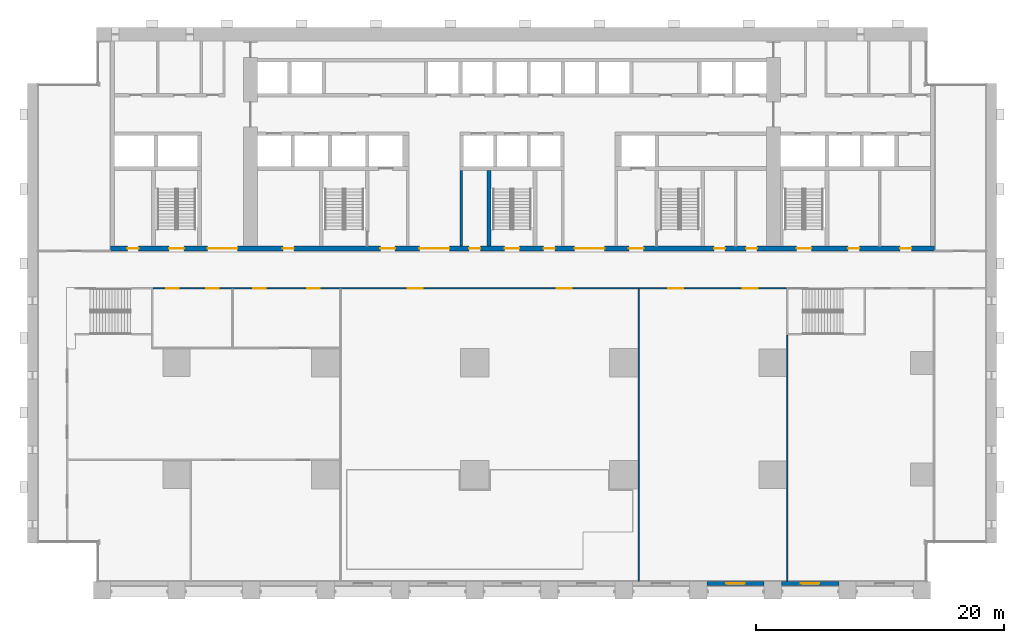
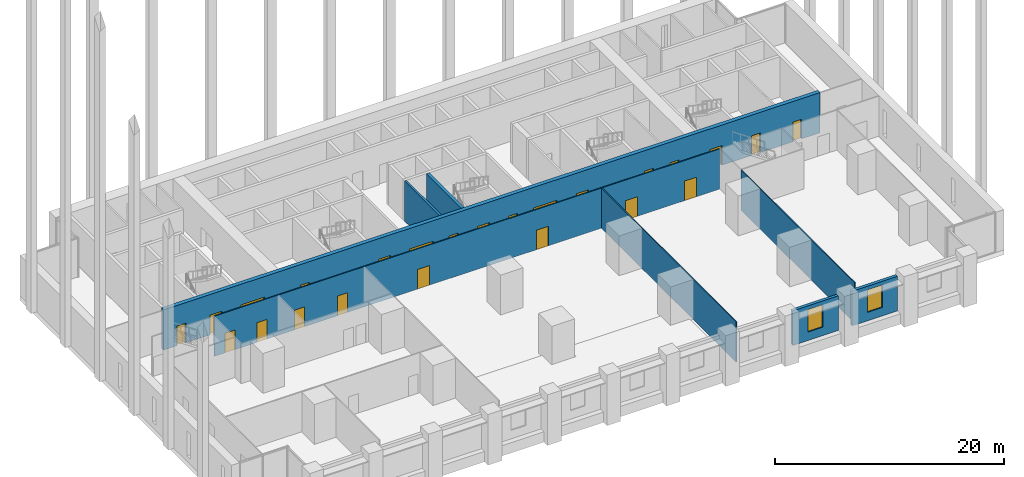
# One storey, part 8 of 17: 24 doors, 8 walls, 2 windows, 26 openings.
"""IFC4 building model written with IfcOpenShell, lengths in metres."""

from ifc_helpers import new_model, si_unit, direction, frame, frame_2d, origin, place, context, subcontext, project, spatial, rectangle, extrude, material, layer, layer_set, type_object, element, fill, save


model = new_model("IFC4")

# Units and contexts
model_context = context("Model", 3, precision=1e-05, world=origin(), true_north=direction((0.0, 1.0)))
body_context = subcontext(model_context, "Body", "Model", "MODEL_VIEW")
ifc_project = project(units=[si_unit("LENGTHUNIT", "METRE"), si_unit("AREAUNIT", "SQUARE_METRE"), si_unit("VOLUMEUNIT", "CUBIC_METRE"), si_unit("PLANEANGLEUNIT", "RADIAN"), si_unit("MASSUNIT", "GRAM", prefix="KILO")], contexts=[model_context])

# Site, building, storey
site_placement = place(None, origin())
site = spatial("IfcSite", under=ifc_project, at=site_placement, CompositionType="ELEMENT")
building_placement = place(site_placement, origin())
building = spatial("IfcBuilding", under=site, at=building_placement, Name="Calvaro Tower", CompositionType="ELEMENT")
storey_placement = place(building_placement, frame((0.0, 0.0, 6.5)))
storey = spatial("IfcBuildingStorey", under=building, at=storey_placement, Name="L01", CompositionType="ELEMENT", Elevation=6.5)

# Walls
ifc_material_1 = material(Name="Blockwork partition", Category="masonry")
ifc_layer_1 = layer(ifc_material_1, 0.199951171875)
ifc_layer_set_1 = layer_set([ifc_layer_1], Name="Blockwork partition")
wall_type_1 = type_object("IfcWallType", Name="Core partition 200 REI 120", PredefinedType="PARTITIONING", material=ifc_layer_set_1)
wall_1_placement = place(storey_placement, frame((34.89990234375, 28.39990234375, 0.0), z_axis=(0.0, 0.0, 1.0), x_axis=(0.0, 1.0, 0.0)))
element("IfcWall", 1, at=wall_1_placement, inside=storey, type_object=wall_type_1, Name="Core partition", PredefinedType="PARTITIONING", context=body_context, shape_type="SweptSolid", body=[
    extrude(rectangle(XDim=6.10009765625, YDim=0.199951171875, at=frame_2d((3.050048828125, 0.0))), origin(), (0.0, 0.0, 1.0), 4.300048828125),
])
ifc_material_2 = material(Name="Concrete C80/95", Category="concrete")
ifc_layer_2 = layer(ifc_material_2, 0.300048828125)
ifc_layer_set_2 = layer_set([ifc_layer_2], Name="Concrete C80/95")
wall_type_2 = type_object("IfcWallType", Name="Core wall C80/95 300", PredefinedType="SHEAR", material=ifc_layer_set_2)
wall_2_placement = place(storey_placement, frame((37.14990234375, 28.39990234375, 0.0), z_axis=(0.0, 0.0, 1.0), x_axis=(0.0, 1.0, 0.0)))
element("IfcWall", 2, at=wall_2_placement, inside=storey, type_object=wall_type_2, Name="Core wall, stair enclosure", PredefinedType="SHEAR", context=body_context, shape_type="SweptSolid", body=[
    extrude(rectangle(XDim=6.10009765625, YDim=0.300048828125, at=frame_2d((3.050048828125, 0.0))), origin(), (0.0, 0.0, 1.0), 4.300048828125),
])

# Wall, openings, doors
ifc_material_3 = material(Name="Concrete C80/95", Category="concrete")
ifc_layer_3 = layer(ifc_material_3, 0.39990234375)
ifc_layer_set_3 = layer_set([ifc_layer_3], Name="Concrete C80/95")
wall_type_3 = type_object("IfcWallType", Name="Core wall C80/95 400", PredefinedType="SHEAR", material=ifc_layer_set_3)
wall_3_placement = place(storey_placement, frame((6.699951171875, 28.199951171875, 0.0), z_axis=(0.0, 0.0, 1.0), x_axis=(1.0, 0.0, 0.0)))
wall_3 = element("IfcWall", 3, at=wall_3_placement, inside=storey, type_object=wall_type_3, Name="Core wall, front", PredefinedType="SHEAR", context=body_context, shape_type="SweptSolid", body=[
    extrude(rectangle(XDim=66.300048828125, YDim=0.39990234375, at=frame_2d((33.14990234375, 0.0))), origin(), (0.0, 0.0, 1.0), 4.300048828125),
])
opening_1_placement = place(wall_3_placement, frame((13.85009765625, 0.0, 0.0)))
opening_1 = element("IfcOpeningElement", 4, at=opening_1_placement, cuts=wall_3, Name="Opening RD9E", PredefinedType="OPENING", context=body_context, shape_type="SweptSolid", body=[
    extrude(rectangle(XDim=0.89990234375, YDim=2.10009765625, at=frame_2d((0.449951171875, 1.050048828125))), frame((0.0, 0.2099609375, 0.0), z_axis=(0.0, -1.0, 0.0), x_axis=(1.0, 0.0, 0.0)), (0.0, 0.0, 1.0), 0.419921875),
])
opening_2_placement = place(wall_3_placement, frame((48.5625, 0.0, 0.0)))
opening_2 = element("IfcOpeningElement", 5, at=opening_2_placement, cuts=wall_3, Name="Opening RD9C", PredefinedType="OPENING", context=body_context, shape_type="SweptSolid", body=[
    extrude(rectangle(XDim=0.89990234375, YDim=2.10009765625, at=frame_2d((0.449951171875, 1.050048828125))), frame((0.0, 0.2099609375, 0.0), z_axis=(0.0, -1.0, 0.0), x_axis=(1.0, 0.0, 0.0)), (0.0, 0.0, 1.0), 0.419921875),
])
opening_3_placement = place(wall_3_placement, frame((51.137451171875, 0.0, 0.0)))
opening_3 = element("IfcOpeningElement", 6, at=opening_3_placement, cuts=wall_3, Name="Opening RD9C", PredefinedType="OPENING", context=body_context, shape_type="SweptSolid", body=[
    extrude(rectangle(XDim=0.89990234375, YDim=2.10009765625, at=frame_2d((0.449951171875, 1.050048828125))), frame((0.0, 0.2099609375, 0.0), z_axis=(0.0, -1.0, 0.0), x_axis=(1.0, 0.0, 0.0)), (0.0, 0.0, 1.0), 0.419921875),
])
opening_4_placement = place(wall_3_placement, frame((1.35009765625, 0.0, 0.0)))
opening_4 = element("IfcOpeningElement", 7, at=opening_4_placement, cuts=wall_3, Name="Opening RD9C", PredefinedType="OPENING", context=body_context, shape_type="SweptSolid", body=[
    extrude(rectangle(XDim=0.89990234375, YDim=2.10009765625, at=frame_2d((0.449951171875, 1.050048828125))), frame((0.0, 0.2099609375, 0.0), z_axis=(0.0, -1.0, 0.0), x_axis=(1.0, 0.0, 0.0)), (0.0, 0.0, 1.0), 0.419921875),
])
opening_5_placement = place(wall_3_placement, frame((59.362548828125, 0.0, 0.0)))
opening_5 = element("IfcOpeningElement", 8, at=opening_5_placement, cuts=wall_3, Name="Opening RD9C", PredefinedType="OPENING", context=body_context, shape_type="SweptSolid", body=[
    extrude(rectangle(XDim=0.89990234375, YDim=2.10009765625, at=frame_2d((0.449951171875, 1.050048828125))), frame((0.0, 0.2099609375, 0.0), z_axis=(0.0, -1.0, 0.0), x_axis=(1.0, 0.0, 0.0)), (0.0, 0.0, 1.0), 0.419921875),
])
opening_6_placement = place(wall_3_placement, frame((63.53759765625, 0.0, 0.0)))
opening_6 = element("IfcOpeningElement", 9, at=opening_6_placement, cuts=wall_3, Name="Opening RD9C", PredefinedType="OPENING", context=body_context, shape_type="SweptSolid", body=[
    extrude(rectangle(XDim=0.89990234375, YDim=2.10009765625, at=frame_2d((0.449951171875, 1.050048828125))), frame((0.0, 0.2099609375, 0.0), z_axis=(0.0, -1.0, 0.0), x_axis=(1.0, 0.0, 0.0)), (0.0, 0.0, 1.0), 0.419921875),
])
opening_7_placement = place(wall_3_placement, frame((4.699951171875, 0.0, 0.0)))
opening_7 = element("IfcOpeningElement", 10, at=opening_7_placement, cuts=wall_3, Name="Opening SD12D", PredefinedType="OPENING", context=body_context, shape_type="SweptSolid", body=[
    extrude(rectangle(XDim=1.199951171875, YDim=2.10009765625, at=frame_2d((0.60009765625, 1.050048828125))), frame((0.0, 0.2099609375, 0.0), z_axis=(0.0, -1.0, 0.0), x_axis=(1.0, 0.0, 0.0)), (0.0, 0.0, 1.0), 0.419921875),
])
opening_8_placement = place(wall_3_placement, frame((31.699951171875, 0.0, 0.0)))
opening_8 = element("IfcOpeningElement", 11, at=opening_8_placement, cuts=wall_3, Name="Opening SD12D", PredefinedType="OPENING", context=body_context, shape_type="SweptSolid", body=[
    extrude(rectangle(XDim=1.199951171875, YDim=2.10009765625, at=frame_2d((0.60009765625, 1.050048828125))), frame((0.0, 0.2099609375, 0.0), z_axis=(0.0, -1.0, 0.0), x_axis=(1.0, 0.0, 0.0)), (0.0, 0.0, 1.0), 0.419921875),
])
opening_9_placement = place(wall_3_placement, frame((55.199951171875, 0.0, 0.0)))
opening_9 = element("IfcOpeningElement", 12, at=opening_9_placement, cuts=wall_3, Name="Opening SD12D", PredefinedType="OPENING", context=body_context, shape_type="SweptSolid", body=[
    extrude(rectangle(XDim=1.199951171875, YDim=2.10009765625, at=frame_2d((0.60009765625, 1.050048828125))), frame((0.0, 0.2099609375, 0.0), z_axis=(0.0, -1.0, 0.0), x_axis=(1.0, 0.0, 0.0)), (0.0, 0.0, 1.0), 0.419921875),
])
opening_10_placement = place(wall_3_placement, frame((21.699951171875, 0.0, 0.0)))
opening_10 = element("IfcOpeningElement", 13, at=opening_10_placement, cuts=wall_3, Name="Opening FD12F", PredefinedType="OPENING", context=body_context, shape_type="SweptSolid", body=[
    extrude(rectangle(XDim=1.199951171875, YDim=2.10009765625, at=frame_2d((0.60009765625, 1.050048828125))), frame((0.0, 0.2099609375, 0.0), z_axis=(0.0, -1.0, 0.0), x_axis=(1.0, 0.0, 0.0)), (0.0, 0.0, 1.0), 0.419921875),
])
opening_11_placement = place(wall_3_placement, frame((41.699951171875, 0.0, 0.0)))
opening_11 = element("IfcOpeningElement", 14, at=opening_11_placement, cuts=wall_3, Name="Opening FD12F", PredefinedType="OPENING", context=body_context, shape_type="SweptSolid", body=[
    extrude(rectangle(XDim=1.199951171875, YDim=2.10009765625, at=frame_2d((0.60009765625, 1.050048828125))), frame((0.0, 0.2099609375, 0.0), z_axis=(0.0, -1.0, 0.0), x_axis=(1.0, 0.0, 0.0)), (0.0, 0.0, 1.0), 0.419921875),
])
opening_12_placement = place(wall_3_placement, frame((24.85009765625, 0.0, 0.0)))
opening_12 = element("IfcOpeningElement", 15, at=opening_12_placement, cuts=wall_3, Name="Opening DD24D", PredefinedType="OPENING", context=body_context, shape_type="SweptSolid", body=[
    extrude(rectangle(XDim=2.39990234375, YDim=2.10009765625, at=frame_2d((1.199951171875, 1.050048828125))), frame((0.0, 0.2099609375, 0.0), z_axis=(0.0, -1.0, 0.0), x_axis=(1.0, 0.0, 0.0)), (0.0, 0.0, 1.0), 0.419921875),
])
opening_13_placement = place(wall_3_placement, frame((37.35009765625, 0.0, 0.0)))
opening_13 = element("IfcOpeningElement", 16, at=opening_13_placement, cuts=wall_3, Name="Opening DD24D", PredefinedType="OPENING", context=body_context, shape_type="SweptSolid", body=[
    extrude(rectangle(XDim=2.39990234375, YDim=2.10009765625, at=frame_2d((1.199951171875, 1.050048828125))), frame((0.0, 0.2099609375, 0.0), z_axis=(0.0, -1.0, 0.0), x_axis=(1.0, 0.0, 0.0)), (0.0, 0.0, 1.0), 0.419921875),
])
opening_14_placement = place(wall_3_placement, frame((7.800048828125, 0.0, 0.0)))
opening_14 = element("IfcOpeningElement", 17, at=opening_14_placement, cuts=wall_3, Name="Opening DD24D", PredefinedType="OPENING", context=body_context, shape_type="SweptSolid", body=[
    extrude(rectangle(XDim=2.39990234375, YDim=2.10009765625, at=frame_2d((1.199951171875, 1.050048828125))), frame((0.0, 0.2099609375, 0.0), z_axis=(0.0, -1.0, 0.0), x_axis=(1.0, 0.0, 0.0)), (0.0, 0.0, 1.0), 0.419921875),
])
opening_15_placement = place(wall_3_placement, frame((28.85009765625, 0.0, 0.0)))
opening_15 = element("IfcOpeningElement", 18, at=opening_15_placement, cuts=wall_3, Name="Opening RD9E", PredefinedType="OPENING", context=body_context, shape_type="SweptSolid", body=[
    extrude(rectangle(XDim=0.89990234375, YDim=2.10009765625, at=frame_2d((0.449951171875, 1.050048828125))), frame((0.0, 0.2099609375, 0.0), z_axis=(0.0, -1.0, 0.0), x_axis=(1.0, 0.0, 0.0)), (0.0, 0.0, 1.0), 0.419921875),
])
opening_16_placement = place(wall_3_placement, frame((34.85009765625, 0.0, 0.0)))
opening_16 = element("IfcOpeningElement", 19, at=opening_16_placement, cuts=wall_3, Name="Opening RD9E", PredefinedType="OPENING", context=body_context, shape_type="SweptSolid", body=[
    extrude(rectangle(XDim=0.89990234375, YDim=2.10009765625, at=frame_2d((0.449951171875, 1.050048828125))), frame((0.0, 0.2099609375, 0.0), z_axis=(0.0, -1.0, 0.0), x_axis=(1.0, 0.0, 0.0)), (0.0, 0.0, 1.0), 0.419921875),
])
ifc_material_4 = material(Name="Steel door set", Category="steel")
door_type_1 = type_object("IfcDoorType", Name="Fire door 1200 FD60S", OperationType="SINGLE_SWING_LEFT", PredefinedType="DOOR", material=ifc_material_4)
door_1_placement = place(opening_10_placement, origin())
door_1 = element("IfcDoor", 20, at=door_1_placement, inside=storey, type_object=door_type_1, Name="Fire door", OperationType="SINGLE_SWING_LEFT", OverallHeight=2.10009765625, OverallWidth=1.199951171875, PredefinedType="DOOR", context=body_context, shape_type="SweptSolid", body=[
    extrude(rectangle(XDim=1.199951171875, YDim=2.10009765625, at=frame_2d((0.60009765625, 1.050048828125))), frame((0.0, 0.02490234375, 0.0), z_axis=(0.0, -1.0, 0.0), x_axis=(1.0, 0.0, 0.0)), (0.0, 0.0, 1.0), 0.050048828125),
])
fill(opening_10, door_1)
door_2_placement = place(opening_11_placement, origin())
door_2 = element("IfcDoor", 21, at=door_2_placement, inside=storey, type_object=door_type_1, Name="Fire door", OperationType="SINGLE_SWING_LEFT", OverallHeight=2.10009765625, OverallWidth=1.199951171875, PredefinedType="DOOR", context=body_context, shape_type="SweptSolid", body=[
    extrude(rectangle(XDim=1.199951171875, YDim=2.10009765625, at=frame_2d((0.60009765625, 1.050048828125))), frame((0.0, 0.02490234375, 0.0), z_axis=(0.0, -1.0, 0.0), x_axis=(1.0, 0.0, 0.0)), (0.0, 0.0, 1.0), 0.050048828125),
])
fill(opening_11, door_2)
ifc_material_5 = material(Name="Steel door set", Category="steel")
door_type_2 = type_object("IfcDoorType", Name="Lobby double door 2400 FD30S", OperationType="DOUBLE_DOOR_SINGLE_SWING", PredefinedType="DOOR", material=ifc_material_5)
door_3_placement = place(opening_12_placement, origin())
door_3 = element("IfcDoor", 22, at=door_3_placement, inside=storey, type_object=door_type_2, Name="Lobby double door", OperationType="DOUBLE_DOOR_SINGLE_SWING", OverallHeight=2.10009765625, OverallWidth=2.39990234375, PredefinedType="DOOR", context=body_context, shape_type="SweptSolid", body=[
    extrude(rectangle(XDim=2.39990234375, YDim=2.10009765625, at=frame_2d((1.199951171875, 1.050048828125))), frame((0.0, 0.02490234375, 0.0), z_axis=(0.0, -1.0, 0.0), x_axis=(1.0, 0.0, 0.0)), (0.0, 0.0, 1.0), 0.050048828125),
])
fill(opening_12, door_3)
door_4_placement = place(opening_13_placement, origin())
door_4 = element("IfcDoor", 23, at=door_4_placement, inside=storey, type_object=door_type_2, Name="Lobby double door", OperationType="DOUBLE_DOOR_SINGLE_SWING", OverallHeight=2.10009765625, OverallWidth=2.39990234375, PredefinedType="DOOR", context=body_context, shape_type="SweptSolid", body=[
    extrude(rectangle(XDim=2.39990234375, YDim=2.10009765625, at=frame_2d((1.199951171875, 1.050048828125))), frame((0.0, 0.02490234375, 0.0), z_axis=(0.0, -1.0, 0.0), x_axis=(1.0, 0.0, 0.0)), (0.0, 0.0, 1.0), 0.050048828125),
])
fill(opening_13, door_4)
door_5_placement = place(opening_14_placement, origin())
door_5 = element("IfcDoor", 24, at=door_5_placement, inside=storey, type_object=door_type_2, Name="Lobby double door", OperationType="DOUBLE_DOOR_SINGLE_SWING", OverallHeight=2.10009765625, OverallWidth=2.39990234375, PredefinedType="DOOR", context=body_context, shape_type="SweptSolid", body=[
    extrude(rectangle(XDim=2.39990234375, YDim=2.10009765625, at=frame_2d((1.199951171875, 1.050048828125))), frame((0.0, 0.02490234375, 0.0), z_axis=(0.0, -1.0, 0.0), x_axis=(1.0, 0.0, 0.0)), (0.0, 0.0, 1.0), 0.050048828125),
])
fill(opening_14, door_5)
ifc_material_6 = material(Name="Steel door set", Category="steel")
door_type_3 = type_object("IfcDoorType", Name="Room door 900 FD30", OperationType="SINGLE_SWING_LEFT", PredefinedType="DOOR", material=ifc_material_6)
door_6_placement = place(opening_2_placement, origin())
door_6 = element("IfcDoor", 25, at=door_6_placement, inside=storey, type_object=door_type_3, Name="Room door", OperationType="SINGLE_SWING_LEFT", OverallHeight=2.10009765625, OverallWidth=0.89990234375, PredefinedType="DOOR", context=body_context, shape_type="SweptSolid", body=[
    extrude(rectangle(XDim=0.89990234375, YDim=2.10009765625, at=frame_2d((0.449951171875, 1.050048828125))), frame((0.0, 0.02490234375, 0.0), z_axis=(0.0, -1.0, 0.0), x_axis=(1.0, 0.0, 0.0)), (0.0, 0.0, 1.0), 0.050048828125),
])
fill(opening_2, door_6)
door_7_placement = place(opening_3_placement, origin())
door_7 = element("IfcDoor", 26, at=door_7_placement, inside=storey, type_object=door_type_3, Name="Room door", OperationType="SINGLE_SWING_LEFT", OverallHeight=2.10009765625, OverallWidth=0.89990234375, PredefinedType="DOOR", context=body_context, shape_type="SweptSolid", body=[
    extrude(rectangle(XDim=0.89990234375, YDim=2.10009765625, at=frame_2d((0.449951171875, 1.050048828125))), frame((0.0, 0.02490234375, 0.0), z_axis=(0.0, -1.0, 0.0), x_axis=(1.0, 0.0, 0.0)), (0.0, 0.0, 1.0), 0.050048828125),
])
fill(opening_3, door_7)
door_8_placement = place(opening_4_placement, origin())
door_8 = element("IfcDoor", 27, at=door_8_placement, inside=storey, type_object=door_type_3, Name="Room door", OperationType="SINGLE_SWING_LEFT", OverallHeight=2.10009765625, OverallWidth=0.89990234375, PredefinedType="DOOR", context=body_context, shape_type="SweptSolid", body=[
    extrude(rectangle(XDim=0.89990234375, YDim=2.10009765625, at=frame_2d((0.449951171875, 1.050048828125))), frame((0.0, 0.02490234375, 0.0), z_axis=(0.0, -1.0, 0.0), x_axis=(1.0, 0.0, 0.0)), (0.0, 0.0, 1.0), 0.050048828125),
])
fill(opening_4, door_8)
door_9_placement = place(opening_5_placement, origin())
door_9 = element("IfcDoor", 28, at=door_9_placement, inside=storey, type_object=door_type_3, Name="Room door", OperationType="SINGLE_SWING_LEFT", OverallHeight=2.10009765625, OverallWidth=0.89990234375, PredefinedType="DOOR", context=body_context, shape_type="SweptSolid", body=[
    extrude(rectangle(XDim=0.89990234375, YDim=2.10009765625, at=frame_2d((0.449951171875, 1.050048828125))), frame((0.0, 0.02490234375, 0.0), z_axis=(0.0, -1.0, 0.0), x_axis=(1.0, 0.0, 0.0)), (0.0, 0.0, 1.0), 0.050048828125),
])
fill(opening_5, door_9)
door_10_placement = place(opening_6_placement, origin())
door_10 = element("IfcDoor", 29, at=door_10_placement, inside=storey, type_object=door_type_3, Name="Room door", OperationType="SINGLE_SWING_LEFT", OverallHeight=2.10009765625, OverallWidth=0.89990234375, PredefinedType="DOOR", context=body_context, shape_type="SweptSolid", body=[
    extrude(rectangle(XDim=0.89990234375, YDim=2.10009765625, at=frame_2d((0.449951171875, 1.050048828125))), frame((0.0, 0.02490234375, 0.0), z_axis=(0.0, -1.0, 0.0), x_axis=(1.0, 0.0, 0.0)), (0.0, 0.0, 1.0), 0.050048828125),
])
fill(opening_6, door_10)
ifc_material_7 = material(Name="Steel door set", Category="steel")
door_type_4 = type_object("IfcDoorType", Name="Room door 900 FD60", OperationType="SINGLE_SWING_LEFT", PredefinedType="DOOR", material=ifc_material_7)
door_11_placement = place(opening_1_placement, origin())
door_11 = element("IfcDoor", 30, at=door_11_placement, inside=storey, type_object=door_type_4, Name="Room door", OperationType="SINGLE_SWING_LEFT", OverallHeight=2.10009765625, OverallWidth=0.89990234375, PredefinedType="DOOR", context=body_context, shape_type="SweptSolid", body=[
    extrude(rectangle(XDim=0.89990234375, YDim=2.10009765625, at=frame_2d((0.449951171875, 1.050048828125))), frame((0.0, 0.02490234375, 0.0), z_axis=(0.0, -1.0, 0.0), x_axis=(1.0, 0.0, 0.0)), (0.0, 0.0, 1.0), 0.050048828125),
])
fill(opening_1, door_11)
door_12_placement = place(opening_15_placement, origin())
door_12 = element("IfcDoor", 31, at=door_12_placement, inside=storey, type_object=door_type_4, Name="Room door", OperationType="SINGLE_SWING_LEFT", OverallHeight=2.10009765625, OverallWidth=0.89990234375, PredefinedType="DOOR", context=body_context, shape_type="SweptSolid", body=[
    extrude(rectangle(XDim=0.89990234375, YDim=2.10009765625, at=frame_2d((0.449951171875, 1.050048828125))), frame((0.0, 0.02490234375, 0.0), z_axis=(0.0, -1.0, 0.0), x_axis=(1.0, 0.0, 0.0)), (0.0, 0.0, 1.0), 0.050048828125),
])
fill(opening_15, door_12)
door_13_placement = place(opening_16_placement, origin())
door_13 = element("IfcDoor", 32, at=door_13_placement, inside=storey, type_object=door_type_4, Name="Room door", OperationType="SINGLE_SWING_LEFT", OverallHeight=2.10009765625, OverallWidth=0.89990234375, PredefinedType="DOOR", context=body_context, shape_type="SweptSolid", body=[
    extrude(rectangle(XDim=0.89990234375, YDim=2.10009765625, at=frame_2d((0.449951171875, 1.050048828125))), frame((0.0, 0.02490234375, 0.0), z_axis=(0.0, -1.0, 0.0), x_axis=(1.0, 0.0, 0.0)), (0.0, 0.0, 1.0), 0.050048828125),
])
fill(opening_16, door_13)
ifc_material_8 = material(Name="Steel door set", Category="steel")
door_type_5 = type_object("IfcDoorType", Name="Stair door 1200 FD30S", OperationType="SINGLE_SWING_LEFT", PredefinedType="DOOR", material=ifc_material_8)
door_14_placement = place(opening_7_placement, origin())
door_14 = element("IfcDoor", 33, at=door_14_placement, inside=storey, type_object=door_type_5, Name="Stair door", OperationType="SINGLE_SWING_LEFT", OverallHeight=2.10009765625, OverallWidth=1.199951171875, PredefinedType="DOOR", context=body_context, shape_type="SweptSolid", body=[
    extrude(rectangle(XDim=1.199951171875, YDim=2.10009765625, at=frame_2d((0.60009765625, 1.050048828125))), frame((0.0, 0.02490234375, 0.0), z_axis=(0.0, -1.0, 0.0), x_axis=(1.0, 0.0, 0.0)), (0.0, 0.0, 1.0), 0.050048828125),
])
fill(opening_7, door_14)
door_15_placement = place(opening_8_placement, origin())
door_15 = element("IfcDoor", 34, at=door_15_placement, inside=storey, type_object=door_type_5, Name="Stair door", OperationType="SINGLE_SWING_LEFT", OverallHeight=2.10009765625, OverallWidth=1.199951171875, PredefinedType="DOOR", context=body_context, shape_type="SweptSolid", body=[
    extrude(rectangle(XDim=1.199951171875, YDim=2.10009765625, at=frame_2d((0.60009765625, 1.050048828125))), frame((0.0, 0.02490234375, 0.0), z_axis=(0.0, -1.0, 0.0), x_axis=(1.0, 0.0, 0.0)), (0.0, 0.0, 1.0), 0.050048828125),
])
fill(opening_8, door_15)
door_16_placement = place(opening_9_placement, origin())
door_16 = element("IfcDoor", 35, at=door_16_placement, inside=storey, type_object=door_type_5, Name="Stair door", OperationType="SINGLE_SWING_LEFT", OverallHeight=2.10009765625, OverallWidth=1.199951171875, PredefinedType="DOOR", context=body_context, shape_type="SweptSolid", body=[
    extrude(rectangle(XDim=1.199951171875, YDim=2.10009765625, at=frame_2d((0.60009765625, 1.050048828125))), frame((0.0, 0.02490234375, 0.0), z_axis=(0.0, -1.0, 0.0), x_axis=(1.0, 0.0, 0.0)), (0.0, 0.0, 1.0), 0.050048828125),
])
fill(opening_9, door_16)

ifc_material_9 = material(Name="Plasterboard on steel studs", Category="steel")
ifc_layer_4 = layer(ifc_material_9, 0.10009765625)
ifc_layer_set_4 = layer_set([ifc_layer_4], Name="Plasterboard on steel studs")
wall_type_4 = type_object("IfcWallType", Name="Partition 100", PredefinedType="PARTITIONING", material=ifc_layer_set_4)
wall_4_placement = place(storey_placement, frame((10.090087890625, 25.0, 0.0), z_axis=(0.0, 0.0, 1.0), x_axis=(1.0, 0.0, 0.0)))
wall_4 = element("IfcWall", 36, at=wall_4_placement, inside=storey, type_object=wall_type_4, Name="Partition T04.W006", PredefinedType="PARTITIONING", context=body_context, shape_type="SweptSolid", body=[
    extrude(rectangle(XDim=51.02001953125, YDim=0.10009765625, at=frame_2d((25.510009765625, 0.0))), origin(), (0.0, 0.0, 1.0), 4.300048828125),
])
opening_17_placement = place(wall_4_placement, frame((20.510009765625, 0.0, 0.0)))
opening_17 = element("IfcOpeningElement", 37, at=opening_17_placement, cuts=wall_4, Name="Opening T04.006", PredefinedType="OPENING", context=body_context, shape_type="SweptSolid", body=[
    extrude(rectangle(XDim=1.199951171875, YDim=2.10009765625, at=frame_2d((0.60009765625, 1.050048828125))), frame((0.0, 0.06005859375, 0.0), z_axis=(0.0, -1.0, 0.0), x_axis=(1.0, 0.0, 0.0)), (0.0, 0.0, 1.0), 0.1201171875),
])
opening_18_placement = place(wall_4_placement, frame((32.510009765625, 0.0, 0.0)))
opening_18 = element("IfcOpeningElement", 38, at=opening_18_placement, cuts=wall_4, Name="Opening T04.007", PredefinedType="OPENING", context=body_context, shape_type="SweptSolid", body=[
    extrude(rectangle(XDim=1.199951171875, YDim=2.10009765625, at=frame_2d((0.60009765625, 1.050048828125))), frame((0.0, 0.06005859375, 0.0), z_axis=(0.0, -1.0, 0.0), x_axis=(1.0, 0.0, 0.0)), (0.0, 0.0, 1.0), 0.1201171875),
])
opening_19_placement = place(wall_4_placement, frame((41.49755859375, 0.0, 0.0)))
opening_19 = element("IfcOpeningElement", 39, at=opening_19_placement, cuts=wall_4, Name="Opening T04.008", PredefinedType="OPENING", context=body_context, shape_type="SweptSolid", body=[
    extrude(rectangle(XDim=1.199951171875, YDim=2.10009765625, at=frame_2d((0.60009765625, 1.050048828125))), frame((0.0, 0.06005859375, 0.0), z_axis=(0.0, -1.0, 0.0), x_axis=(1.0, 0.0, 0.0)), (0.0, 0.0, 1.0), 0.1201171875),
])
opening_20_placement = place(wall_4_placement, frame((47.472412109375, 0.0, 0.0)))
opening_20 = element("IfcOpeningElement", 40, at=opening_20_placement, cuts=wall_4, Name="Opening T04.009", PredefinedType="OPENING", context=body_context, shape_type="SweptSolid", body=[
    extrude(rectangle(XDim=1.199951171875, YDim=2.10009765625, at=frame_2d((0.60009765625, 1.050048828125))), frame((0.0, 0.06005859375, 0.0), z_axis=(0.0, -1.0, 0.0), x_axis=(1.0, 0.0, 0.0)), (0.0, 0.0, 1.0), 0.1201171875),
])
opening_21_placement = place(wall_4_placement, frame((1.072509765625, 0.0, 0.0)))
opening_21 = element("IfcOpeningElement", 41, at=opening_21_placement, cuts=wall_4, Name="Opening T04.014", PredefinedType="OPENING", context=body_context, shape_type="SweptSolid", body=[
    extrude(rectangle(XDim=1.0, YDim=2.10009765625, at=frame_2d((0.5, 1.050048828125))), frame((0.0, 0.06005859375, 0.0), z_axis=(0.0, -1.0, 0.0), x_axis=(1.0, 0.0, 0.0)), (0.0, 0.0, 1.0), 0.1201171875),
])
opening_22_placement = place(wall_4_placement, frame((4.297607421875, 0.0, 0.0)))
opening_22 = element("IfcOpeningElement", 42, at=opening_22_placement, cuts=wall_4, Name="Opening T04.015", PredefinedType="OPENING", context=body_context, shape_type="SweptSolid", body=[
    extrude(rectangle(XDim=1.0, YDim=2.10009765625, at=frame_2d((0.5, 1.050048828125))), frame((0.0, 0.06005859375, 0.0), z_axis=(0.0, -1.0, 0.0), x_axis=(1.0, 0.0, 0.0)), (0.0, 0.0, 1.0), 0.1201171875),
])
opening_23_placement = place(wall_4_placement, frame((8.0849609375, 0.0, 0.0)))
opening_23 = element("IfcOpeningElement", 43, at=opening_23_placement, cuts=wall_4, Name="Opening T04.016", PredefinedType="OPENING", context=body_context, shape_type="SweptSolid", body=[
    extrude(rectangle(XDim=1.0, YDim=2.10009765625, at=frame_2d((0.5, 1.050048828125))), frame((0.0, 0.06005859375, 0.0), z_axis=(0.0, -1.0, 0.0), x_axis=(1.0, 0.0, 0.0)), (0.0, 0.0, 1.0), 0.1201171875),
])
opening_24_placement = place(wall_4_placement, frame((12.43505859375, 0.0, 0.0)))
opening_24 = element("IfcOpeningElement", 44, at=opening_24_placement, cuts=wall_4, Name="Opening T04.018", PredefinedType="OPENING", context=body_context, shape_type="SweptSolid", body=[
    extrude(rectangle(XDim=1.0, YDim=2.10009765625, at=frame_2d((0.5, 1.050048828125))), frame((0.0, 0.06005859375, 0.0), z_axis=(0.0, -1.0, 0.0), x_axis=(1.0, 0.0, 0.0)), (0.0, 0.0, 1.0), 0.1201171875),
])
ifc_material_10 = material(Name="Timber", Category="wood")
door_type_6 = type_object("IfcDoorType", Name="Internal single door 1000 x 2100", OperationType="SINGLE_SWING_LEFT", PredefinedType="DOOR", material=ifc_material_10)
door_17_placement = place(opening_21_placement, origin())
door_17 = element("IfcDoor", 45, at=door_17_placement, inside=storey, type_object=door_type_6, Name="Door T04.014", OperationType="SINGLE_SWING_LEFT", OverallHeight=2.10009765625, OverallWidth=1.0, PredefinedType="DOOR", context=body_context, shape_type="SweptSolid", body=[
    extrude(rectangle(XDim=1.0, YDim=2.10009765625, at=frame_2d((0.5, 1.050048828125))), frame((0.0, 0.02490234375, 0.0), z_axis=(0.0, -1.0, 0.0), x_axis=(1.0, 0.0, 0.0)), (0.0, 0.0, 1.0), 0.050048828125),
])
fill(opening_21, door_17)
door_18_placement = place(opening_22_placement, origin())
door_18 = element("IfcDoor", 46, at=door_18_placement, inside=storey, type_object=door_type_6, Name="Door T04.015", OperationType="SINGLE_SWING_LEFT", OverallHeight=2.10009765625, OverallWidth=1.0, PredefinedType="DOOR", context=body_context, shape_type="SweptSolid", body=[
    extrude(rectangle(XDim=1.0, YDim=2.10009765625, at=frame_2d((0.5, 1.050048828125))), frame((0.0, 0.02490234375, 0.0), z_axis=(0.0, -1.0, 0.0), x_axis=(1.0, 0.0, 0.0)), (0.0, 0.0, 1.0), 0.050048828125),
])
fill(opening_22, door_18)
door_19_placement = place(opening_23_placement, origin())
door_19 = element("IfcDoor", 47, at=door_19_placement, inside=storey, type_object=door_type_6, Name="Door T04.016", OperationType="SINGLE_SWING_LEFT", OverallHeight=2.10009765625, OverallWidth=1.0, PredefinedType="DOOR", context=body_context, shape_type="SweptSolid", body=[
    extrude(rectangle(XDim=1.0, YDim=2.10009765625, at=frame_2d((0.5, 1.050048828125))), frame((0.0, 0.02490234375, 0.0), z_axis=(0.0, -1.0, 0.0), x_axis=(1.0, 0.0, 0.0)), (0.0, 0.0, 1.0), 0.050048828125),
])
fill(opening_23, door_19)
door_20_placement = place(opening_24_placement, origin())
door_20 = element("IfcDoor", 48, at=door_20_placement, inside=storey, type_object=door_type_6, Name="Door T04.018", OperationType="SINGLE_SWING_LEFT", OverallHeight=2.10009765625, OverallWidth=1.0, PredefinedType="DOOR", context=body_context, shape_type="SweptSolid", body=[
    extrude(rectangle(XDim=1.0, YDim=2.10009765625, at=frame_2d((0.5, 1.050048828125))), frame((0.0, 0.02490234375, 0.0), z_axis=(0.0, -1.0, 0.0), x_axis=(1.0, 0.0, 0.0)), (0.0, 0.0, 1.0), 0.050048828125),
])
fill(opening_24, door_20)
ifc_material_11 = material(Name="Timber", Category="wood")
door_type_7 = type_object("IfcDoorType", Name="Internal single door 1200 x 2100", OperationType="SINGLE_SWING_LEFT", PredefinedType="DOOR", material=ifc_material_11)
door_21_placement = place(opening_17_placement, origin())
door_21 = element("IfcDoor", 49, at=door_21_placement, inside=storey, type_object=door_type_7, Name="Door T04.006", OperationType="SINGLE_SWING_LEFT", OverallHeight=2.10009765625, OverallWidth=1.199951171875, PredefinedType="DOOR", context=body_context, shape_type="SweptSolid", body=[
    extrude(rectangle(XDim=1.199951171875, YDim=2.10009765625, at=frame_2d((0.60009765625, 1.050048828125))), frame((0.0, 0.02490234375, 0.0), z_axis=(0.0, -1.0, 0.0), x_axis=(1.0, 0.0, 0.0)), (0.0, 0.0, 1.0), 0.050048828125),
])
fill(opening_17, door_21)
door_22_placement = place(opening_18_placement, origin())
door_22 = element("IfcDoor", 50, at=door_22_placement, inside=storey, type_object=door_type_7, Name="Door T04.007", OperationType="SINGLE_SWING_RIGHT", OverallHeight=2.10009765625, OverallWidth=1.199951171875, PredefinedType="DOOR", context=body_context, shape_type="SweptSolid", body=[
    extrude(rectangle(XDim=1.199951171875, YDim=2.10009765625, at=frame_2d((0.60009765625, 1.050048828125))), frame((0.0, 0.02490234375, 0.0), z_axis=(0.0, -1.0, 0.0), x_axis=(1.0, 0.0, 0.0)), (0.0, 0.0, 1.0), 0.050048828125),
])
fill(opening_18, door_22)
door_23_placement = place(opening_19_placement, origin())
door_23 = element("IfcDoor", 51, at=door_23_placement, inside=storey, type_object=door_type_7, Name="Door T04.008", OperationType="SINGLE_SWING_RIGHT", OverallHeight=2.10009765625, OverallWidth=1.199951171875, PredefinedType="DOOR", context=body_context, shape_type="SweptSolid", body=[
    extrude(rectangle(XDim=1.199951171875, YDim=2.10009765625, at=frame_2d((0.60009765625, 1.050048828125))), frame((0.0, 0.02490234375, 0.0), z_axis=(0.0, -1.0, 0.0), x_axis=(1.0, 0.0, 0.0)), (0.0, 0.0, 1.0), 0.050048828125),
])
fill(opening_19, door_23)
door_24_placement = place(opening_20_placement, origin())
door_24 = element("IfcDoor", 52, at=door_24_placement, inside=storey, type_object=door_type_7, Name="Door T04.009", OperationType="SINGLE_SWING_RIGHT", OverallHeight=2.10009765625, OverallWidth=1.199951171875, PredefinedType="DOOR", context=body_context, shape_type="SweptSolid", body=[
    extrude(rectangle(XDim=1.199951171875, YDim=2.10009765625, at=frame_2d((0.60009765625, 1.050048828125))), frame((0.0, 0.02490234375, 0.0), z_axis=(0.0, -1.0, 0.0), x_axis=(1.0, 0.0, 0.0)), (0.0, 0.0, 1.0), 0.050048828125),
])
fill(opening_20, door_24)

# Walls
wall_5_placement = place(storey_placement, frame((49.199951171875, 1.39990234375, 0.0), z_axis=(0.0, 0.0, 1.0), x_axis=(0.0, 1.0, 0.0)))
element("IfcWall", 53, at=wall_5_placement, inside=storey, type_object=wall_type_4, Name="Partition T04.W017", PredefinedType="PARTITIONING", context=body_context, shape_type="SweptSolid", body=[
    extrude(rectangle(XDim=23.550048828125, YDim=0.10009765625, at=frame_2d((11.77490234375, 0.0))), origin(), (0.0, 0.0, 1.0), 4.300048828125),
])
wall_6_placement = place(storey_placement, frame((61.14990234375, 1.39990234375, 0.0), z_axis=(0.0, 0.0, 1.0), x_axis=(0.0, 1.0, 0.0)))
element("IfcWall", 54, at=wall_6_placement, inside=storey, type_object=wall_type_4, Name="Partition T04.W018", PredefinedType="PARTITIONING", context=body_context, shape_type="SweptSolid", body=[
    extrude(rectangle(XDim=19.860107421875, YDim=0.10009765625, at=frame_2d((9.93017578125, 0.0))), origin(), (0.0, 0.0, 1.0), 4.300048828125),
])

# Wall, opening, window
ifc_material_12 = material(Name="Stone faced masonry", Category="masonry")
ifc_layer_5 = layer(ifc_material_12, 0.300048828125)
ifc_layer_set_5 = layer_set([ifc_layer_5], Name="Stone faced masonry")
wall_type_5 = type_object("IfcWallType", Name="Stone faced wall 300", PredefinedType="SOLIDWALL", material=ifc_layer_set_5)
wall_7_placement = place(storey_placement, frame((54.699951171875, 1.25, 0.0), z_axis=(0.0, 0.0, 1.0), x_axis=(1.0, 0.0, 0.0)))
wall_7 = element("IfcWall", 55, at=wall_7_placement, inside=storey, type_object=wall_type_5, Name="Stone faced wall", PredefinedType="SOLIDWALL", context=body_context, shape_type="SweptSolid", body=[
    extrude(rectangle(XDim=4.60009765625, YDim=0.300048828125, at=frame_2d((2.300048828125, 0.0))), origin(), (0.0, 0.0, 1.0), 3.699951171875),
])
opening_25_placement = place(wall_7_placement, frame((1.550048828125, 0.0, 0.89990234375)))
opening_25 = element("IfcOpeningElement", 56, at=opening_25_placement, cuts=wall_7, Name="Opening WS09", PredefinedType="OPENING", context=body_context, shape_type="SweptSolid", body=[
    extrude(rectangle(XDim=1.5, YDim=2.39990234375, at=frame_2d((0.75, 1.199951171875))), frame((0.0, 0.159912109375, 0.0), z_axis=(0.0, -1.0, 0.0), x_axis=(1.0, 0.0, 0.0)), (0.0, 0.0, 1.0), 0.320068359375),
])
ifc_material_13 = material(Name="Glass", Category="glass")
window_type = type_object("IfcWindowType", Name="Podium window 1500 x 2400", PartitioningType="SINGLE_PANEL", PredefinedType="WINDOW", material=ifc_material_13)
window_1_placement = place(opening_25_placement, origin())
window_1 = element("IfcWindow", 57, at=window_1_placement, inside=storey, type_object=window_type, Name="Window WS09", OverallHeight=2.39990234375, OverallWidth=1.5, PartitioningType="SINGLE_PANEL", PredefinedType="WINDOW", context=body_context, shape_type="SweptSolid", body=[
    extrude(rectangle(XDim=1.5, YDim=2.39990234375, at=frame_2d((0.75, 1.199951171875))), frame((0.0, 0.030029296875, 0.0), z_axis=(0.0, -1.0, 0.0), x_axis=(1.0, 0.0, 0.0)), (0.0, 0.0, 1.0), 0.06005859375),
])
fill(opening_25, window_1)

wall_8_placement = place(storey_placement, frame((60.699951171875, 1.25, 0.0), z_axis=(0.0, 0.0, 1.0), x_axis=(1.0, 0.0, 0.0)))
wall_8 = element("IfcWall", 58, at=wall_8_placement, inside=storey, type_object=wall_type_5, Name="Stone faced wall", PredefinedType="SOLIDWALL", context=body_context, shape_type="SweptSolid", body=[
    extrude(rectangle(XDim=4.60009765625, YDim=0.300048828125, at=frame_2d((2.300048828125, 0.0))), origin(), (0.0, 0.0, 1.0), 3.699951171875),
])
opening_26_placement = place(wall_8_placement, frame((1.550048828125, 0.0, 0.89990234375)))
opening_26 = element("IfcOpeningElement", 59, at=opening_26_placement, cuts=wall_8, Name="Opening WS10", PredefinedType="OPENING", context=body_context, shape_type="SweptSolid", body=[
    extrude(rectangle(XDim=1.5, YDim=2.39990234375, at=frame_2d((0.75, 1.199951171875))), frame((0.0, 0.159912109375, 0.0), z_axis=(0.0, -1.0, 0.0), x_axis=(1.0, 0.0, 0.0)), (0.0, 0.0, 1.0), 0.320068359375),
])
window_2_placement = place(opening_26_placement, origin())
window_2 = element("IfcWindow", 60, at=window_2_placement, inside=storey, type_object=window_type, Name="Window WS10", OverallHeight=2.39990234375, OverallWidth=1.5, PartitioningType="SINGLE_PANEL", PredefinedType="WINDOW", context=body_context, shape_type="SweptSolid", body=[
    extrude(rectangle(XDim=1.5, YDim=2.39990234375, at=frame_2d((0.75, 1.199951171875))), frame((0.0, 0.030029296875, 0.0), z_axis=(0.0, -1.0, 0.0), x_axis=(1.0, 0.0, 0.0)), (0.0, 0.0, 1.0), 0.06005859375),
])
fill(opening_26, window_2)

save(model, "model.ifc")
